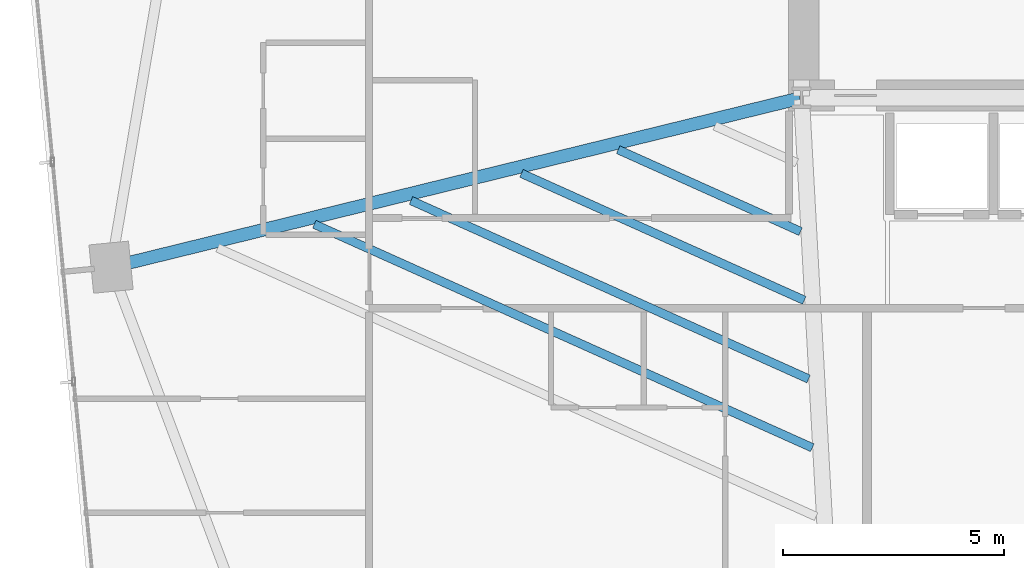
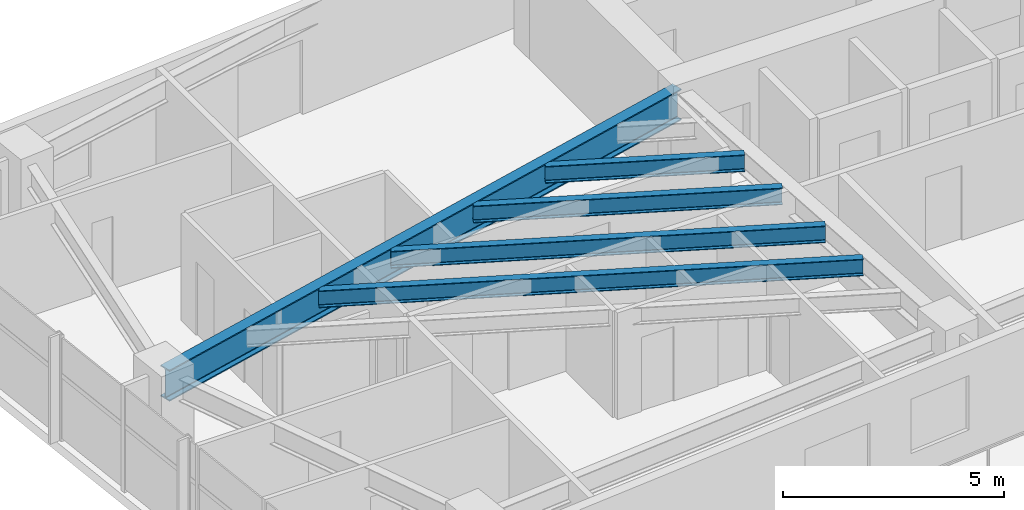
# One storey, part 5 of 27: 5 beams.
"""IFC4 building model written with IfcOpenShell, lengths in metres."""

from ifc_helpers import new_model, si_unit, direction, frame, origin, origin_2d, place, context, subcontext, project, spatial, i_section, extrude, source, transform, mapped, material, material_profile, profile_set, type_object, type_shapes, element, save


model = new_model("IFC4")

# Units and contexts
model_context = context("Model", 3, precision=1e-05, world=origin(), true_north=direction((0.0, 1.0)))
body_context = subcontext(model_context, "Body", "Model", "MODEL_VIEW")
ifc_project = project(units=[si_unit("LENGTHUNIT", "METRE"), si_unit("AREAUNIT", "SQUARE_METRE"), si_unit("VOLUMEUNIT", "CUBIC_METRE"), si_unit("PLANEANGLEUNIT", "RADIAN"), si_unit("MASSUNIT", "GRAM", prefix="KILO")], contexts=[model_context])

# Site, building, storey
site_placement = place(None, origin())
site = spatial("IfcSite", under=ifc_project, at=site_placement, CompositionType="ELEMENT")
building_placement = place(site_placement, origin())
building = spatial("IfcBuilding", under=site, at=building_placement, Name="Astriad Promenade Condominiums", CompositionType="ELEMENT")
storey_placement = place(building_placement, frame((0.0, 0.0, 97.0)))
storey = spatial("IfcBuildingStorey", under=building, at=storey_placement, Name="L27", CompositionType="ELEMENT", Elevation=97.0)

# Beams
ifc_material = material(Name="Steel ASTM A992 Grade 50", Category="steel")
ifc_material_profile_1 = material_profile(ifc_material, i_section(OverallWidth=0.2919921875, OverallDepth=0.85888671875, WebThickness=0.01708984375, FlangeThickness=0.031005859375, FilletRadius=0.02294921875, at=origin_2d()), Name="W33X169")
ifc_profile_set_1 = profile_set([ifc_material_profile_1], Name="Steel ASTM A992 Grade 50")
beam_type_1 = type_object("IfcBeamType", Name="STEEL PRIMARY GIRDER W33X169", PredefinedType="BEAM", material=ifc_profile_set_1)
shared_shape_1 = source(origin(), body_context, "Body", "SweptSolid", [
    extrude(i_section(OverallWidth=0.2919921875, OverallDepth=0.85888671875, WebThickness=0.01708984375, FlangeThickness=0.031005859375, FilletRadius=0.02294921875, at=origin_2d()), origin(), (0.0, 0.0, 1.0), 16.032470703125),
])
type_shapes(beam_type_1, [shared_shape_1])
beam_1_placement = place(storey_placement, frame((10.790283203125, 13.5703125, 2.510498046875), z_axis=(0.971199076901, 0.238269496633, 0.0), x_axis=(-0.238269496633, 0.971199076901, 0.0)))
element("IfcBeam", 1, at=beam_1_placement, inside=storey, type_object=beam_type_1, Name="Primary Floor Girder PG-WM-L27", PredefinedType="BEAM", context=body_context, shape_type="MappedRepresentation", body=[
    mapped(shared_shape_1, transform((0.0, 0.0, 0.0), scale=1.0)),
])
ifc_material_profile_2 = material_profile(ifc_material, i_section(OverallWidth=0.19287109375, OverallDepth=0.466064453125, WebThickness=0.011474609375, FlangeThickness=0.01904296875, FilletRadius=0.01513671875, at=origin_2d()), Name="W18X65")
ifc_profile_set_2 = profile_set([ifc_material_profile_2], Name="Steel ASTM A992 Grade 50")
beam_type_2 = type_object("IfcBeamType", Name="STEEL FLOOR JOIST W18X65", PredefinedType="JOIST", material=ifc_profile_set_2)
shared_shape_2 = source(origin(), body_context, "Body", "SweptSolid", [
    extrude(i_section(OverallWidth=0.19287109375, OverallDepth=0.466064453125, WebThickness=0.011474609375, FlangeThickness=0.01904296875, FilletRadius=0.01513671875, at=origin_2d()), origin(), (0.0, 0.0, 1.0), 12.369140625),
])
beam_2_placement = place(storey_placement, frame((15.35888671875, 14.534423828125, 2.706787109375), z_axis=(0.91230851279, -0.409503574454, 0.0), x_axis=(0.409503574454, 0.91230851279, 0.0)))
element("IfcBeam", 2, at=beam_2_placement, inside=storey, type_object=beam_type_2, Name="Secondary Composite Floor Joist JW1-2-L27", PredefinedType="JOIST", context=body_context, shape_type="MappedRepresentation", body=[
    mapped(shared_shape_2, transform((0.0, 0.0, 0.0), scale=1.0)),
])
shared_shape_3 = source(origin(), body_context, "Body", "SweptSolid", [
    extrude(i_section(OverallWidth=0.19287109375, OverallDepth=0.466064453125, WebThickness=0.011474609375, FlangeThickness=0.01904296875, FilletRadius=0.01513671875, at=origin_2d()), origin(), (0.0, 0.0, 1.0), 9.875),
])
beam_3_placement = place(storey_placement, frame((17.549560546875, 15.072021484375, 2.706787109375), z_axis=(0.912313833055, -0.409491721549, 0.0), x_axis=(0.409491721549, 0.912313833055, 0.0)))
element("IfcBeam", 3, at=beam_3_placement, inside=storey, type_object=beam_type_2, Name="Secondary Composite Floor Joist JW1-3-L27", PredefinedType="JOIST", context=body_context, shape_type="MappedRepresentation", body=[
    mapped(shared_shape_3, transform((0.0, 0.0, 0.0), scale=1.0)),
])
shared_shape_4 = source(origin(), body_context, "Body", "SweptSolid", [
    extrude(i_section(OverallWidth=0.19287109375, OverallDepth=0.466064453125, WebThickness=0.011474609375, FlangeThickness=0.01904296875, FilletRadius=0.01513671875, at=origin_2d()), origin(), (0.0, 0.0, 1.0), 7.024169921875),
])
beam_4_placement = place(storey_placement, frame((20.053466796875, 15.686279296875, 2.706787109375), z_axis=(0.912306106293, -0.409508935703, 0.0), x_axis=(0.409508935703, 0.912306106293, 0.0)))
element("IfcBeam", 4, at=beam_4_placement, inside=storey, type_object=beam_type_2, Name="Secondary Composite Floor Joist JW1-4-L27", PredefinedType="JOIST", context=body_context, shape_type="MappedRepresentation", body=[
    mapped(shared_shape_4, transform((0.0, 0.0, 0.0), scale=1.0)),
])
shared_shape_5 = source(origin(), body_context, "Body", "SweptSolid", [
    extrude(i_section(OverallWidth=0.19287109375, OverallDepth=0.466064453125, WebThickness=0.011474609375, FlangeThickness=0.01904296875, FilletRadius=0.01513671875, at=origin_2d()), origin(), (0.0, 0.0, 1.0), 4.52978515625),
])
type_shapes(beam_type_2, [shared_shape_2, shared_shape_3, shared_shape_4, shared_shape_5])
beam_5_placement = place(storey_placement, frame((22.244140625, 16.2236328125, 2.706787109375), z_axis=(0.912307341368, -0.409506184186, 0.0), x_axis=(0.409506184186, 0.912307341368, 0.0)))
element("IfcBeam", 5, at=beam_5_placement, inside=storey, type_object=beam_type_2, Name="Secondary Composite Floor Joist JW1-5-L27", PredefinedType="JOIST", context=body_context, shape_type="MappedRepresentation", body=[
    mapped(shared_shape_5, transform((0.0, 0.0, 0.0), scale=1.0)),
])

save(model, "model.ifc")
